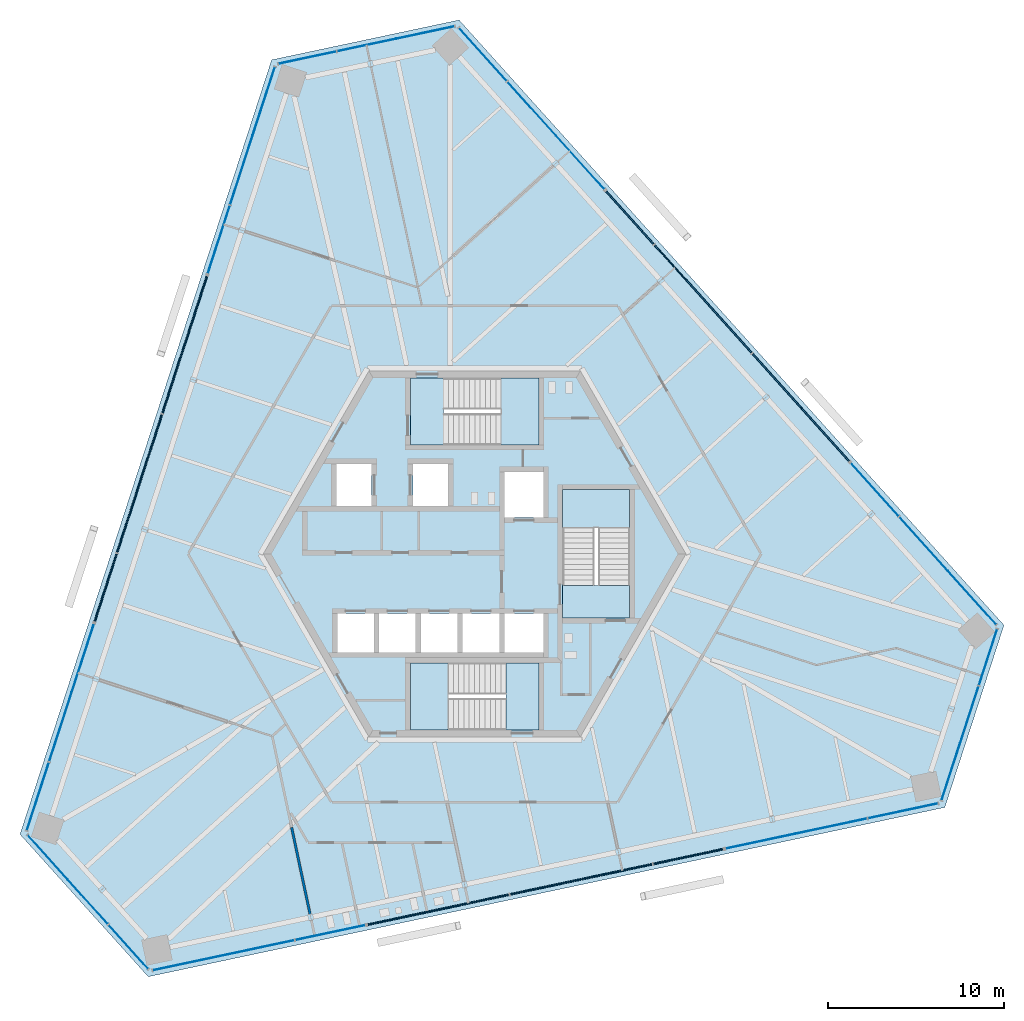
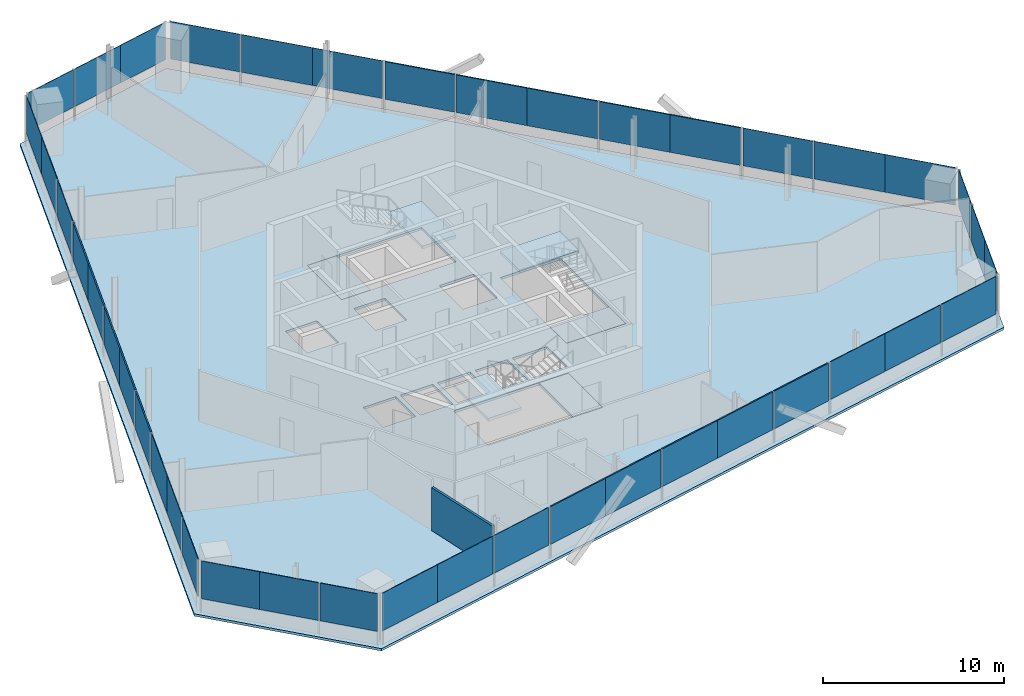
# One storey, part 9 of 15: 42 plates, 7 slabs, 1 wall, 15 elements without a shape of their own.
"""IFC4 building model written with IfcOpenShell, lengths in metres."""

import ifcopenshell
import ifcopenshell.guid

model = None  # the IFC model being written
_history = None  # IfcOwnerHistory: only IFC2X3 demands one
_inside = {}  # id of a spatial element -> (the spatial element, [elements in it])
_under = {}  # id of a project, library or spatial element -> (it, [spatial elements below it])
_declared = {}  # id of a project -> (the project, [libraries it declares])
_typed = {}  # id of a type object -> (the type object, [elements of that type])
_made_of = {}  # id of a material, layer set ... -> (it, [elements and type objects made of it])


def new_model(schema):
    """Start an empty IFC model of exactly this schema.

    Asked for "IFC4X3", IfcOpenShell would pick the latest addendum, in which some entities
    have other attributes; the version numbers below select the first issue.
    IFC2X3 requires an IfcOwnerHistory on every rooted entity: one is made here for all.
    """
    global model, _history
    if schema == "IFC4X3":
        model = ifcopenshell.file(schema_version=(4, 3, 0, 0))
    else:
        model = ifcopenshell.file(schema=schema)
    _inside.clear()
    _under.clear()
    _declared.clear()
    _typed.clear()
    _made_of.clear()
    _history = None
    if model.schema == "IFC2X3":
        org = make("IfcOrganization", Name="unknown")
        user = make(
            "IfcPersonAndOrganization",
            ThePerson=make("IfcPerson", FamilyName="unknown"),
            TheOrganization=org,
        )
        app = make(
            "IfcApplication",
            ApplicationDeveloper=org,
            Version="unknown",
            ApplicationFullName="unknown",
            ApplicationIdentifier="unknown",
        )
        _history = make(
            "IfcOwnerHistory",
            OwningUser=user,
            OwningApplication=app,
            ChangeAction="ADDED",
            CreationDate=0,
        )
    return model


def make(cls, **values):
    """One entity of the class cls with the attributes given. An attribute that is None is left unset."""
    return model.create_entity(
        cls, **{name: value for name, value in values.items() if value is not None}
    )


def rooted(cls, **values):
    """An entity with a GlobalId (a new one), such as an element, a storey or a relation."""
    return make(cls, GlobalId=ifcopenshell.guid.new(), OwnerHistory=_history, **values)


def si_unit(unit_type, name, prefix=None):
    """IfcSIUnit, for example si_unit("LENGTHUNIT", "METRE", prefix="MILLI")."""
    return make("IfcSIUnit", UnitType=unit_type, Prefix=prefix, Name=name)


def assignment(units):
    """IfcUnitAssignment: the units of a project."""
    return None if units is None else make("IfcUnitAssignment", Units=units)


def point(xyz):
    """IfcCartesianPoint."""
    return None if xyz is None else make("IfcCartesianPoint", Coordinates=xyz)


def direction(xyz):
    """IfcDirection."""
    return None if xyz is None else make("IfcDirection", DirectionRatios=xyz)


def frame(location, z_axis=None, x_axis=None):
    """IfcAxis2Placement3D, a coordinate frame: its origin and axes. An axis left out is left unset."""
    return make(
        "IfcAxis2Placement3D",
        Location=point(location),
        Axis=direction(z_axis),
        RefDirection=direction(x_axis),
    )


def frame_2d(location, x_axis=None):
    """IfcAxis2Placement2D, a coordinate frame in the plane: its origin and x axis."""
    return make(
        "IfcAxis2Placement2D", Location=point(location), RefDirection=direction(x_axis)
    )


def origin():
    """The frame at (0, 0, 0) with its axes left unset."""
    return frame((0.0, 0.0, 0.0))


def origin_2d():
    """The frame at (0, 0) in the plane with its x axis left unset."""
    return frame_2d((0.0, 0.0))


def place(relative_to, where):
    """IfcLocalPlacement: puts the frame where relative to a parent placement (None: the world)."""
    return make(
        "IfcLocalPlacement", PlacementRelTo=relative_to, RelativePlacement=where
    )


def context(
    kind, dimensions, precision=None, world=None, true_north=None, identifier=None
):
    """IfcGeometricRepresentationContext, for example the 3D "Model" context."""
    return make(
        "IfcGeometricRepresentationContext",
        ContextIdentifier=identifier,
        ContextType=kind,
        CoordinateSpaceDimension=dimensions,
        Precision=precision,
        WorldCoordinateSystem=world,
        TrueNorth=true_north,
    )


def subcontext(parent, identifier, kind, view, scale=None):
    """IfcGeometricRepresentationSubContext, for example "Body" below "Model"."""
    return make(
        "IfcGeometricRepresentationSubContext",
        ContextIdentifier=identifier,
        ContextType=kind,
        ParentContext=parent,
        TargetScale=scale,
        TargetView=view,
    )


def project(units=None, contexts=None):
    """IfcProject with its units and contexts."""
    return rooted(
        "IfcProject",
        Name="project",
        RepresentationContexts=contexts,
        UnitsInContext=assignment(units),
    )


def spatial(cls, under=None, at=None, **own):
    """A site, building, storey or space (cls), placed at a placement, below another one or the project."""
    s = rooted(cls, ObjectPlacement=at, **own)
    if under is not None:
        _under.setdefault(under.id(), (under, []))[1].append(s)
    return s


def polyline(points):
    """IfcPolyline through the points."""
    return make("IfcPolyline", Points=[point(p) for p in points])


def profile(cls, at=None, kind="AREA", **sizes):
    """A parametric profile (cls). Its sizes go by their IFC names, for example OverallWidth=200.0."""
    return make(cls, ProfileType=kind, Position=at, **sizes)


def rectangle(**sizes):
    """IfcRectangleProfileDef."""
    return profile("IfcRectangleProfileDef", **sizes)


def outline(outer, holes=None, kind="AREA"):
    """IfcArbitraryClosedProfileDef: a profile drawn as a closed curve; with holes, ...WithVoids."""
    if holes is None:
        return make("IfcArbitraryClosedProfileDef", ProfileType=kind, OuterCurve=outer)
    return make(
        "IfcArbitraryProfileDefWithVoids",
        ProfileType=kind,
        OuterCurve=outer,
        InnerCurves=holes,
    )


def extrude(swept, where, along, depth):
    """IfcExtrudedAreaSolid: the profile swept, set in the frame where, extruded along a direction by depth."""
    return make(
        "IfcExtrudedAreaSolid",
        SweptArea=swept,
        Position=where,
        ExtrudedDirection=direction(along),
        Depth=depth,
    )


def shape(context_of_items, identifier, shape_type, items):
    """IfcShapeRepresentation: the items that make up one representation, for example the "Body"."""
    return make(
        "IfcShapeRepresentation",
        ContextOfItems=context_of_items,
        RepresentationIdentifier=identifier,
        RepresentationType=shape_type,
        Items=items,
    )


def source(mapping_origin, context_of_items, identifier, shape_type, items):
    """IfcRepresentationMap: a shape defined once, which mapped items show again and again."""
    return make(
        "IfcRepresentationMap",
        MappingOrigin=mapping_origin,
        MappedRepresentation=shape(context_of_items, identifier, shape_type, items),
    )


def transform(
    local_origin,
    x_axis=None,
    y_axis=None,
    z_axis=None,
    scale=None,
    scale2=None,
    scale3=None,
    uniform=True,
):
    """IfcCartesianTransformationOperator3D, or its non-uniform kind. x_axis, y_axis, z_axis: its Axis1, 2, 3."""
    if uniform:
        return make(
            "IfcCartesianTransformationOperator3D",
            Axis1=direction(x_axis),
            Axis2=direction(y_axis),
            LocalOrigin=point(local_origin),
            Scale=scale,
            Axis3=direction(z_axis),
        )
    return make(
        "IfcCartesianTransformationOperator3DnonUniform",
        Axis1=direction(x_axis),
        Axis2=direction(y_axis),
        LocalOrigin=point(local_origin),
        Scale=scale,
        Axis3=direction(z_axis),
        Scale2=scale2,
        Scale3=scale3,
    )


def mapped(mapping_source, mapping_target):
    """IfcMappedItem: shows the shape of a source again, moved by a transform."""
    return make(
        "IfcMappedItem", MappingSource=mapping_source, MappingTarget=mapping_target
    )


def material(Name=None, Category=None):
    """IfcMaterial."""
    return make("IfcMaterial", Name=Name, Category=Category)


def layer(
    of_material, thickness, ventilated=None, Name=None, Category=None, Priority=None
):
    """IfcMaterialLayer: one layer of a wall or slab, of a material (None: an air gap)."""
    return make(
        "IfcMaterialLayer",
        Material=of_material,
        LayerThickness=thickness,
        IsVentilated=ventilated,
        Name=Name,
        Category=Category,
        Priority=Priority,
    )


def layer_set(layers, Name=None):
    """IfcMaterialLayerSet."""
    return make("IfcMaterialLayerSet", MaterialLayers=layers, LayerSetName=Name)


def made_of(thing, what):
    """Note that an element or type object is made of a material, layer set ...; save() writes the relation."""
    if what is not None:
        _made_of.setdefault(what.id(), (what, []))[1].append(thing)
    return thing


def type_object(cls, material=None, **own):
    """A type object (cls), such as IfcWallType, which elements share."""
    return made_of(rooted(cls, **own), material)


def element(
    cls,
    number,
    at=None,
    inside=None,
    cuts=None,
    type_object=None,
    material=None,
    context=None,
    identifier="Body",
    shape_type=None,
    held_by="IfcProductDefinitionShape",
    body=None,
    shapes=None,
    **own,
):
    """One element of the class cls, such as IfcWall. Its Tag is "e" and its number.

    at: its placement. inside: the storey or other place that contains it. cuts: it is an
    opening in that element (IfcRelVoidsElement). A single representation is given by context,
    identifier, shape_type and body (its items); several are given by shapes. held_by: the class
    of the entity that holds the representations. save() writes the other relations.
    """
    e = rooted(cls, Tag="e%d" % number, ObjectPlacement=at, **own)
    if body is not None:
        shapes = [shape(context, identifier, shape_type, body)]
    if shapes is not None:
        e.Representation = make(held_by, Representations=shapes)
    if inside is not None:
        _inside.setdefault(inside.id(), (inside, []))[1].append(e)
    if cuts is not None:
        rooted(
            "IfcRelVoidsElement", RelatingBuildingElement=cuts, RelatedOpeningElement=e
        )
    if type_object is not None:
        _typed.setdefault(type_object.id(), (type_object, []))[1].append(e)
    return made_of(e, material)


def aggregate(whole, parts):
    """IfcRelAggregates: a whole, such as a stair, and the parts it consists of."""
    return rooted("IfcRelAggregates", RelatingObject=whole, RelatedObjects=parts)


def save(model, path):
    """Write the relations noted so far, then the file.

    IfcRelAggregates (storeys below a building ...), IfcRelContainedInSpatialStructure (elements
    in a storey), IfcRelDefinesByType, IfcRelAssociatesMaterial and IfcRelDeclares: one each for
    every whole, place, type object, material and project.
    """
    for whole, parts in _under.values():
        aggregate(whole, parts)
    for where, things in _inside.values():
        rooted(
            "IfcRelContainedInSpatialStructure",
            RelatedElements=things,
            RelatingStructure=where,
        )
    for kind, things in _typed.values():
        rooted("IfcRelDefinesByType", RelatedObjects=things, RelatingType=kind)
    for what, things in _made_of.values():
        rooted("IfcRelAssociatesMaterial", RelatedObjects=things, RelatingMaterial=what)
    for by, libraries in _declared.values():
        rooted("IfcRelDeclares", RelatingContext=by, RelatedDefinitions=libraries)
    model.write(path)


model = new_model("IFC4")

# Units and contexts
model_context = context("Model", 3, precision=1e-05, world=origin(), true_north=direction((0.0, 1.0)))
body_context = subcontext(model_context, "Body", "Model", "MODEL_VIEW")
ifc_project = project(units=[si_unit("LENGTHUNIT", "METRE"), si_unit("AREAUNIT", "SQUARE_METRE"), si_unit("VOLUMEUNIT", "CUBIC_METRE"), si_unit("PLANEANGLEUNIT", "RADIAN"), si_unit("MASSUNIT", "GRAM", prefix="KILO")], contexts=[model_context])

# Site, building, storey
site_placement = place(None, origin())
site = spatial("IfcSite", under=ifc_project, at=site_placement, CompositionType="ELEMENT")
building_placement = place(site_placement, origin())
building = spatial("IfcBuilding", under=site, at=building_placement, Name="Triune Harvest Tower", CompositionType="ELEMENT")
storey_placement = place(building_placement, frame((0.0, 0.0, 270.300048828125)))
storey = spatial("IfcBuildingStorey", under=building, at=storey_placement, Name="L71", CompositionType="ELEMENT", Elevation=270.300048828125)

# Slab
ifc_material_1 = material(Name="Concrete 40 MPa", Category="concrete")
ifc_layer_1 = layer(ifc_material_1, 0.159912109375)
ifc_layer_set_1 = layer_set([ifc_layer_1], Name="Concrete 40 MPa")
slab_type_1 = type_object("IfcSlabType", Name="SL-1 Composite floor slab 160", PredefinedType="FLOOR", material=ifc_layer_set_1)
shared_shape_1 = source(origin(), body_context, "Body", "SweptSolid", [
    extrude(outline(polyline([(30.05810546875, -4.04638671875), (-0.88232421875, 30.31640625), (-11.524658203125, 28.054443359375), (-25.813720703125, -15.922607421875), (-18.533447265625, -24.0078125), (26.696044921875, -14.39404296875), (30.05810546875, -4.04638671875)]), holes=[polyline([(-5.72509765625, -5.590087890625), (-5.72509765625, -3.389892578125), (-7.800048828125, -3.389892578125), (-7.800048828125, -5.590087890625), (-5.72509765625, -5.590087890625)]), polyline([(-3.35009765625, -5.590087890625), (-3.35009765625, -3.389892578125), (-5.425048828125, -3.389892578125), (-5.425048828125, -5.590087890625), (-3.35009765625, -5.590087890625)]), polyline([(-0.97509765625, -5.590087890625), (-0.97509765625, -3.389892578125), (-3.050048828125, -3.389892578125), (-3.050048828125, -5.590087890625), (-0.97509765625, -5.590087890625)]), polyline([(1.39990234375, -5.590087890625), (1.39990234375, -3.389892578125), (-0.675048828125, -3.389892578125), (-0.675048828125, -5.590087890625), (1.39990234375, -5.590087890625)]), polyline([(3.89990234375, 2.06005859375), (3.89990234375, 4.659912109375), (1.699951171875, 4.659912109375), (1.699951171875, 2.06005859375), (3.89990234375, 2.06005859375)]), polyline([(3.89990234375, -5.590087890625), (3.89990234375, -3.389892578125), (1.699951171875, -3.389892578125), (1.699951171875, -5.590087890625), (3.89990234375, -5.590087890625)]), polyline([(-5.85009765625, 2.7099609375), (-5.85009765625, 5.110107421875), (-7.85009765625, 5.110107421875), (-7.85009765625, 2.7099609375), (-5.85009765625, 2.7099609375)]), polyline([(-1.5, 2.7099609375), (-1.5, 5.110107421875), (-3.5, 5.110107421875), (-3.5, 2.7099609375), (-1.5, 2.7099609375)]), polyline([(3.64990234375, 6.18994140625), (3.64990234375, 9.989990234375), (-3.64990234375, 9.989990234375), (-3.64990234375, 6.18994140625), (3.64990234375, 6.18994140625)]), polyline([(3.64990234375, -9.989990234375), (3.64990234375, -6.18994140625), (-3.64990234375, -6.18994140625), (-3.64990234375, -9.989990234375), (3.64990234375, -9.989990234375)]), polyline([(8.800048828125, -3.64990234375), (8.800048828125, 3.64990234375), (5.0, 3.64990234375), (5.0, -3.64990234375), (8.800048828125, -3.64990234375)])]), origin(), (0.0, 0.0, 1.0), 0.16015625),
])
slab_1_placement = place(storey_placement, frame((0.0, 0.0, -0.16015625)))
element("IfcSlab", 1, at=slab_1_placement, inside=storey, type_object=slab_type_1, Name="slab/L71/1", PredefinedType="FLOOR", context=body_context, shape_type="MappedRepresentation", body=[
    mapped(shared_shape_1, transform((0.0, 0.0, 0.0), scale=1.0)),
])

# Stair, slabs
ifc_material_2 = material(Name="Concrete 40 MPa", Category="concrete")
stair_type = type_object("IfcStairType", Name="Exit stair 1800 half turn", PredefinedType="HALF_TURN_STAIR", material=ifc_material_2)
stair_1_placement = place(storey_placement, origin())
stair_1 = element("IfcStair", 2, at=stair_1_placement, inside=storey, type_object=stair_type, Name="Exit stair north", PredefinedType="HALF_TURN_STAIR")
ifc_material_3 = material(Name="Concrete 40 MPa", Category="concrete")
ifc_layer_2 = layer(ifc_material_3, 0.199951171875)
ifc_layer_set_2 = layer_set([ifc_layer_2], Name="Concrete 40 MPa")
slab_type_2 = type_object("IfcSlabType", Name="Stair landing 200", PredefinedType="LANDING", material=ifc_layer_set_2)
shared_shape_2 = source(origin(), body_context, "Body", "SweptSolid", [
    extrude(outline(polyline([(-3.64990234375, 6.18994140625), (-1.780029296875, 6.18994140625), (-1.780029296875, 9.989990234375), (-3.64990234375, 9.989990234375), (-3.64990234375, 6.18994140625)])), origin(), (0.0, 0.0, 1.0), 0.199951171875),
])
slab_2_placement = place(storey_placement, frame((0.0, 0.0, -0.199951171875)))
slab_2 = element("IfcSlab", 3, at=slab_2_placement, type_object=slab_type_2, Name="ST-1 landing 1", PredefinedType="LANDING", context=body_context, shape_type="MappedRepresentation", body=[
    mapped(shared_shape_2, transform((0.0, 0.0, 0.0), scale=1.0)),
])
shared_shape_3 = source(origin(), body_context, "Body", "SweptSolid", [
    extrude(outline(polyline([(1.510009765625, 6.18994140625), (3.64990234375, 6.18994140625), (3.64990234375, 9.989990234375), (1.510009765625, 9.989990234375), (1.510009765625, 6.18994140625)])), origin(), (0.0, 0.0, 1.0), 0.2001953125),
])
slab_3_placement = place(storey_placement, frame((0.0, 0.0, 1.599853515625)))
slab_3 = element("IfcSlab", 4, at=slab_3_placement, type_object=slab_type_2, Name="ST-1 landing 2", PredefinedType="LANDING", context=body_context, shape_type="MappedRepresentation", body=[
    mapped(shared_shape_3, transform((0.0, 0.0, 0.0), scale=1.0)),
])
aggregate(stair_1, [slab_2, slab_3])

stair_2_placement = place(storey_placement, origin())
stair_2 = element("IfcStair", 5, at=stair_2_placement, inside=storey, type_object=stair_type, Name="Exit stair south", PredefinedType="HALF_TURN_STAIR")
shared_shape_4 = source(origin(), body_context, "Body", "SweptSolid", [
    extrude(outline(polyline([(3.64990234375, -6.18994140625), (1.780029296875, -6.18994140625), (1.780029296875, -9.989990234375), (3.64990234375, -9.989990234375), (3.64990234375, -6.18994140625)])), origin(), (0.0, 0.0, 1.0), 0.199951171875),
])
slab_4_placement = place(storey_placement, frame((0.0, 0.0, -0.199951171875)))
slab_4 = element("IfcSlab", 6, at=slab_4_placement, type_object=slab_type_2, Name="ST-2 landing 1", PredefinedType="LANDING", context=body_context, shape_type="MappedRepresentation", body=[
    mapped(shared_shape_4, transform((0.0, 0.0, 0.0), scale=1.0)),
])
shared_shape_5 = source(origin(), body_context, "Body", "SweptSolid", [
    extrude(outline(polyline([(-1.510009765625, -6.18994140625), (-3.64990234375, -6.18994140625), (-3.64990234375, -9.989990234375), (-1.510009765625, -9.989990234375), (-1.510009765625, -6.18994140625)])), origin(), (0.0, 0.0, 1.0), 0.2001953125),
])
slab_5_placement = place(storey_placement, frame((0.0, 0.0, 1.599853515625)))
slab_5 = element("IfcSlab", 7, at=slab_5_placement, type_object=slab_type_2, Name="ST-2 landing 2", PredefinedType="LANDING", context=body_context, shape_type="MappedRepresentation", body=[
    mapped(shared_shape_5, transform((0.0, 0.0, 0.0), scale=1.0)),
])
aggregate(stair_2, [slab_4, slab_5])

stair_3_placement = place(storey_placement, origin())
stair_3 = element("IfcStair", 8, at=stair_3_placement, inside=storey, type_object=stair_type, Name="Exit stair east", PredefinedType="HALF_TURN_STAIR")
shared_shape_6 = source(origin(), body_context, "Body", "SweptSolid", [
    extrude(outline(polyline([(8.800048828125, -3.64990234375), (8.800048828125, -1.780029296875), (5.0, -1.780029296875), (5.0, -3.64990234375), (8.800048828125, -3.64990234375)])), origin(), (0.0, 0.0, 1.0), 0.199951171875),
])
slab_6_placement = place(storey_placement, frame((0.0, 0.0, -0.199951171875)))
slab_6 = element("IfcSlab", 9, at=slab_6_placement, type_object=slab_type_2, Name="ST-3 landing 1", PredefinedType="LANDING", context=body_context, shape_type="MappedRepresentation", body=[
    mapped(shared_shape_6, transform((0.0, 0.0, 0.0), scale=1.0)),
])
shared_shape_7 = source(origin(), body_context, "Body", "SweptSolid", [
    extrude(outline(polyline([(8.800048828125, 1.510009765625), (8.800048828125, 3.64990234375), (5.0, 3.64990234375), (5.0, 1.510009765625), (8.800048828125, 1.510009765625)])), origin(), (0.0, 0.0, 1.0), 0.2001953125),
])
slab_7_placement = place(storey_placement, frame((0.0, 0.0, 1.599853515625)))
slab_7 = element("IfcSlab", 10, at=slab_7_placement, type_object=slab_type_2, Name="ST-3 landing 2", PredefinedType="LANDING", context=body_context, shape_type="MappedRepresentation", body=[
    mapped(shared_shape_7, transform((0.0, 0.0, 0.0), scale=1.0)),
])
aggregate(stair_3, [slab_6, slab_7])

# Curtain wall, plate
ifc_material_4 = material(Name="Aluminium bronze anodised", Category="aluminium")
curtain_wall_type_1 = type_object("IfcCurtainWallType", Name="CW-1 Tower stick curtain wall", PredefinedType="NOTDEFINED", material=ifc_material_4)
curtain_wall_1_placement = place(storey_placement, origin())
curtain_wall_1 = element("IfcCurtainWall", 11, at=curtain_wall_1_placement, inside=storey, type_object=curtain_wall_type_1, Name="CW-1 B7-F2 L71 run 1")
ifc_material_5 = material(Name="Glass", Category="glass")
ifc_layer_3 = layer(ifc_material_5, 0.031982421875)
ifc_layer_set_3 = layer_set([ifc_layer_3], Name="Glass")
plate_type_1 = type_object("IfcPlateType", Name="GL-1 panel 32", PredefinedType="CURTAIN_PANEL", material=ifc_layer_set_3)
shared_shape_8 = source(origin(), body_context, "Body", "SweptSolid", [
    extrude(rectangle(XDim=3.376220703125, YDim=0.031982421875, at=origin_2d()), origin(), (0.0, 0.0, 1.0), 2.5400390625),
])
plate_1_placement = place(storey_placement, frame((-2.802001953125, 29.601806640625, 0.89990234375), z_axis=(0.0, 0.0, 1.0), x_axis=(-0.978149078297, -0.207904739307, 0.0)))
plate_1 = element("IfcPlate", 12, at=plate_1_placement, type_object=plate_type_1, Name="CW-1 panel B7-F2 1.1", PredefinedType="CURTAIN_PANEL", context=body_context, shape_type="MappedRepresentation", body=[
    mapped(shared_shape_8, transform((0.0, 0.0, 0.0), scale=1.0)),
])

curtain_wall_2_placement = place(storey_placement, origin())
curtain_wall_2 = element("IfcCurtainWall", 13, at=curtain_wall_2_placement, inside=storey, type_object=curtain_wall_type_1, Name="CW-1 B7-F4 L71 run 1")
plate_2_placement = place(storey_placement, frame((-24.23486328125, -17.2275390625, 0.89990234375), z_axis=(0.0, 0.0, 1.0), x_axis=(0.669132031472, -0.743143542297, 0.0)))
plate_2 = element("IfcPlate", 14, at=plate_2_placement, type_object=plate_type_1, Name="CW-1 panel B7-F4 1.1", PredefinedType="CURTAIN_PANEL", context=body_context, shape_type="MappedRepresentation", body=[
    mapped(shared_shape_8, transform((0.0, 0.0, 0.0), scale=1.0)),
])

curtain_wall_3_placement = place(storey_placement, origin())
curtain_wall_3 = element("IfcCurtainWall", 15, at=curtain_wall_3_placement, inside=storey, type_object=curtain_wall_type_1, Name="CW-1 B7-F6 L71 run 1")
plate_3_placement = place(storey_placement, frame((27.036865234375, -12.374267578125, 0.89990234375), z_axis=(0.0, 0.0, 1.0), x_axis=(0.309018882717, 0.951055902733, 0.0)))
plate_3 = element("IfcPlate", 16, at=plate_3_placement, type_object=plate_type_1, Name="CW-1 panel B7-F6 1.1", PredefinedType="CURTAIN_PANEL", context=body_context, shape_type="MappedRepresentation", body=[
    mapped(shared_shape_8, transform((0.0, 0.0, 0.0), scale=1.0)),
])

# Plate
shared_shape_9 = source(origin(), body_context, "Body", "SweptSolid", [
    extrude(rectangle(XDim=3.413818359375, YDim=0.031982421875, at=origin_2d()), origin(), (0.0, 0.0, 1.0), 2.5400390625),
])
plate_4_placement = place(storey_placement, frame((-6.122802734375, 28.89599609375, 0.89990234375), z_axis=(0.0, 0.0, 1.0), x_axis=(-0.978149078297, -0.207904739307, 0.0)))
plate_4 = element("IfcPlate", 17, at=plate_4_placement, type_object=plate_type_1, Name="CW-1 panel B7-F2 1.2", PredefinedType="CURTAIN_PANEL", context=body_context, shape_type="MappedRepresentation", body=[
    mapped(shared_shape_9, transform((0.0, 0.0, 0.0), scale=1.0)),
])

plate_5_placement = place(storey_placement, frame((28.0859375, -9.145263671875, 0.89990234375), z_axis=(0.0, 0.0, 1.0), x_axis=(0.309018882717, 0.951055902733, 0.0)))
plate_5 = element("IfcPlate", 18, at=plate_5_placement, type_object=plate_type_1, Name="CW-1 panel B7-F6 1.2", PredefinedType="CURTAIN_PANEL", context=body_context, shape_type="MappedRepresentation", body=[
    mapped(shared_shape_9, transform((0.0, 0.0, 0.0), scale=1.0)),
])

shared_shape_10 = source(origin(), body_context, "Body", "SweptSolid", [
    extrude(rectangle(XDim=3.338623046875, YDim=0.031982421875, at=origin_2d()), origin(), (0.0, 0.0, 1.0), 2.5400390625),
])
plate_6_placement = place(storey_placement, frame((-9.49853515625, 28.178466796875, 0.89990234375), z_axis=(0.0, 0.0, 1.0), x_axis=(-0.978149078297, -0.207904739307, 0.0)))
plate_6 = element("IfcPlate", 19, at=plate_6_placement, type_object=plate_type_1, Name="CW-1 panel B7-F2 1.3", PredefinedType="CURTAIN_PANEL", context=body_context, shape_type="MappedRepresentation", body=[
    mapped(shared_shape_10, transform((0.0, 0.0, 0.0), scale=1.0)),
])

aggregate(curtain_wall_1, [plate_1, plate_4, plate_6])

plate_7_placement = place(storey_placement, frame((-19.65380859375, -22.315185546875, 0.89990234375), z_axis=(0.0, 0.0, 1.0), x_axis=(0.669132031472, -0.743143542297, 0.0)))
plate_7 = element("IfcPlate", 20, at=plate_7_placement, type_object=plate_type_1, Name="CW-1 panel B7-F4 1.3", PredefinedType="CURTAIN_PANEL", context=body_context, shape_type="MappedRepresentation", body=[
    mapped(shared_shape_10, transform((0.0, 0.0, 0.0), scale=1.0)),
])

plate_8_placement = place(storey_placement, frame((29.152587890625, -5.863037109375, 0.89990234375), z_axis=(0.0, 0.0, 1.0), x_axis=(0.309018882717, 0.951055902733, 0.0)))
plate_8 = element("IfcPlate", 21, at=plate_8_placement, type_object=plate_type_1, Name="CW-1 panel B7-F6 1.3", PredefinedType="CURTAIN_PANEL", context=body_context, shape_type="MappedRepresentation", body=[
    mapped(shared_shape_10, transform((0.0, 0.0, 0.0), scale=1.0)),
])

aggregate(curtain_wall_3, [plate_3, plate_5, plate_8])

shared_shape_11 = source(origin(), body_context, "Body", "SweptSolid", [
    extrude(rectangle(XDim=3.41357421875, YDim=0.031982421875, at=origin_2d()), origin(), (0.0, 0.0, 1.0), 2.5400390625),
])
plate_9_placement = place(storey_placement, frame((-21.963134765625, -19.75048828125, 0.89990234375), z_axis=(0.0, 0.0, 1.0), x_axis=(0.669132031472, -0.743143542297, 0.0)))
plate_9 = element("IfcPlate", 22, at=plate_9_placement, type_object=plate_type_1, Name="CW-1 panel B7-F4 1.2", PredefinedType="CURTAIN_PANEL", context=body_context, shape_type="MappedRepresentation", body=[
    mapped(shared_shape_11, transform((0.0, 0.0, 0.0), scale=1.0)),
])

aggregate(curtain_wall_2, [plate_2, plate_9, plate_7])

# Curtain wall, plate
ifc_material_6 = material(Name="Aluminium bronze anodised", Category="aluminium")
curtain_wall_type_2 = type_object("IfcCurtainWallType", Name="CW-7 Tower stick curtain wall with insulated spandrel infill", PredefinedType="NOTDEFINED", material=ifc_material_6)
curtain_wall_4_placement = place(storey_placement, origin())
curtain_wall_4 = element("IfcCurtainWall", 23, at=curtain_wall_4_placement, inside=storey, type_object=curtain_wall_type_2, Name="CW-7 B7-F1 L71 run 1001")
ifc_material_7 = material(Name="Insulated spandrel panel, bronze aluminium pan", Category="aluminium")
ifc_layer_4 = layer(ifc_material_7, 0.080078125)
ifc_layer_set_4 = layer_set([ifc_layer_4], Name="Insulated spandrel panel, bronze aluminium pan")
plate_type_2 = type_object("IfcPlateType", Name="SP-1 insulated spandrel panel 80", PredefinedType="CURTAIN_PANEL", material=ifc_layer_set_4)
shared_shape_12 = source(origin(), body_context, "Body", "SweptSolid", [
    extrude(rectangle(XDim=4.080810546875, YDim=0.080078125, at=origin_2d()), origin(), (0.0, 0.0, 1.0), 2.5400390625),
])
plate_10_placement = place(storey_placement, frame((19.9013671875, 6.785400390625, 0.89990234375), z_axis=(0.0, 0.0, 1.0), x_axis=(-0.669131426809, 0.74314408674, 0.0)))
plate_10 = element("IfcPlate", 24, at=plate_10_placement, type_object=plate_type_2, Name="CW-7 panel B7-F1 1001.1", PredefinedType="CURTAIN_PANEL", context=body_context, shape_type="MappedRepresentation", body=[
    mapped(shared_shape_12, transform((0.0, 0.0, 0.0), scale=1.0)),
])

curtain_wall_5_placement = place(storey_placement, origin())
curtain_wall_5 = element("IfcCurtainWall", 25, at=curtain_wall_5_placement, inside=storey, type_object=curtain_wall_type_2, Name="CW-7 B7-F3 L71 run 1001")
plate_11_placement = place(storey_placement, frame((-15.826904296875, 13.84228515625, 0.89990234375), z_axis=(0.0, 0.0, 1.0), x_axis=(-0.309020017761, -0.951055533932, 0.0)))
plate_11 = element("IfcPlate", 26, at=plate_11_placement, type_object=plate_type_2, Name="CW-7 panel B7-F3 1001.1", PredefinedType="CURTAIN_PANEL", context=body_context, shape_type="MappedRepresentation", body=[
    mapped(shared_shape_12, transform((0.0, 0.0, 0.0), scale=1.0)),
])

curtain_wall_6_placement = place(storey_placement, origin())
curtain_wall_6 = element("IfcCurtainWall", 27, at=curtain_wall_6_placement, inside=storey, type_object=curtain_wall_type_2, Name="CW-7 B7-F5 L71 run 1001")
plate_12_placement = place(storey_placement, frame((-4.07421875, -20.627685546875, 0.89990234375), z_axis=(0.0, 0.0, 1.0), x_axis=(0.978147303245, 0.207913090389, 0.0)))
plate_12 = element("IfcPlate", 28, at=plate_12_placement, type_object=plate_type_2, Name="CW-7 panel B7-F5 1001.1", PredefinedType="CURTAIN_PANEL", context=body_context, shape_type="MappedRepresentation", body=[
    mapped(shared_shape_12, transform((0.0, 0.0, 0.0), scale=1.0)),
])

# Plate
shared_shape_13 = source(origin(), body_context, "Body", "SweptSolid", [
    extrude(rectangle(XDim=4.1181640625, YDim=0.080078125, at=origin_2d()), origin(), (0.0, 0.0, 1.0), 2.5400390625),
])
plate_13_placement = place(storey_placement, frame((17.158203125, 9.83203125, 0.89990234375), z_axis=(0.0, 0.0, 1.0), x_axis=(-0.669131426809, 0.74314408674, 0.0)))
plate_13 = element("IfcPlate", 29, at=plate_13_placement, type_object=plate_type_2, Name="CW-7 panel B7-F1 1001.2", PredefinedType="CURTAIN_PANEL", context=body_context, shape_type="MappedRepresentation", body=[
    mapped(shared_shape_13, transform((0.0, 0.0, 0.0), scale=1.0)),
])

plate_14_placement = place(storey_placement, frame((14.3525390625, 12.9482421875, 0.89990234375), z_axis=(0.0, 0.0, 1.0), x_axis=(-0.669131426809, 0.74314408674, 0.0)))
plate_14 = element("IfcPlate", 30, at=plate_14_placement, type_object=plate_type_2, Name="CW-7 panel B7-F1 1001.3", PredefinedType="CURTAIN_PANEL", context=body_context, shape_type="MappedRepresentation", body=[
    mapped(shared_shape_13, transform((0.0, 0.0, 0.0), scale=1.0)),
])

plate_15_placement = place(storey_placement, frame((11.5966796875, 16.008544921875, 0.89990234375), z_axis=(0.0, 0.0, 1.0), x_axis=(-0.669131426809, 0.74314408674, 0.0)))
plate_15 = element("IfcPlate", 31, at=plate_15_placement, type_object=plate_type_2, Name="CW-7 panel B7-F1 1001.4", PredefinedType="CURTAIN_PANEL", context=body_context, shape_type="MappedRepresentation", body=[
    mapped(shared_shape_13, transform((0.0, 0.0, 0.0), scale=1.0)),
])

plate_16_placement = place(storey_placement, frame((-17.09375, 9.943359375, 0.89990234375), z_axis=(0.0, 0.0, 1.0), x_axis=(-0.309020017761, -0.951055533932, 0.0)))
plate_16 = element("IfcPlate", 32, at=plate_16_placement, type_object=plate_type_2, Name="CW-7 panel B7-F3 1001.2", PredefinedType="CURTAIN_PANEL", context=body_context, shape_type="MappedRepresentation", body=[
    mapped(shared_shape_13, transform((0.0, 0.0, 0.0), scale=1.0)),
])

plate_17_placement = place(storey_placement, frame((-18.3896484375, 5.955322265625, 0.89990234375), z_axis=(0.0, 0.0, 1.0), x_axis=(-0.309020017761, -0.951055533932, 0.0)))
plate_17 = element("IfcPlate", 33, at=plate_17_placement, type_object=plate_type_2, Name="CW-7 panel B7-F3 1001.3", PredefinedType="CURTAIN_PANEL", context=body_context, shape_type="MappedRepresentation", body=[
    mapped(shared_shape_13, transform((0.0, 0.0, 0.0), scale=1.0)),
])

plate_18_placement = place(storey_placement, frame((-19.662353515625, 2.038818359375, 0.89990234375), z_axis=(0.0, 0.0, 1.0), x_axis=(-0.309020017761, -0.951055533932, 0.0)))
plate_18 = element("IfcPlate", 34, at=plate_18_placement, type_object=plate_type_2, Name="CW-7 panel B7-F3 1001.4", PredefinedType="CURTAIN_PANEL", context=body_context, shape_type="MappedRepresentation", body=[
    mapped(shared_shape_13, transform((0.0, 0.0, 0.0), scale=1.0)),
])

plate_19_placement = place(storey_placement, frame((-0.064453125, -19.775390625, 0.89990234375), z_axis=(0.0, 0.0, 1.0), x_axis=(0.978147303245, 0.207913090389, 0.0)))
plate_19 = element("IfcPlate", 35, at=plate_19_placement, type_object=plate_type_2, Name="CW-7 panel B7-F5 1001.2", PredefinedType="CURTAIN_PANEL", context=body_context, shape_type="MappedRepresentation", body=[
    mapped(shared_shape_13, transform((0.0, 0.0, 0.0), scale=1.0)),
])

plate_20_placement = place(storey_placement, frame((4.037353515625, -18.903564453125, 0.89990234375), z_axis=(0.0, 0.0, 1.0), x_axis=(0.978147303245, 0.207913090389, 0.0)))
plate_20 = element("IfcPlate", 36, at=plate_20_placement, type_object=plate_type_2, Name="CW-7 panel B7-F5 1001.3", PredefinedType="CURTAIN_PANEL", context=body_context, shape_type="MappedRepresentation", body=[
    mapped(shared_shape_13, transform((0.0, 0.0, 0.0), scale=1.0)),
])

plate_21_placement = place(storey_placement, frame((8.0654296875, -18.04736328125, 0.89990234375), z_axis=(0.0, 0.0, 1.0), x_axis=(0.978147303245, 0.207913090389, 0.0)))
plate_21 = element("IfcPlate", 37, at=plate_21_placement, type_object=plate_type_2, Name="CW-7 panel B7-F5 1001.4", PredefinedType="CURTAIN_PANEL", context=body_context, shape_type="MappedRepresentation", body=[
    mapped(shared_shape_13, transform((0.0, 0.0, 0.0), scale=1.0)),
])

# Curtain wall, plate
curtain_wall_7_placement = place(storey_placement, origin())
curtain_wall_7 = element("IfcCurtainWall", 38, at=curtain_wall_7_placement, inside=storey, type_object=curtain_wall_type_1, Name="CW-1 B7-F1 L71 run 1")
shared_shape_14 = source(origin(), body_context, "Body", "SweptSolid", [
    extrude(rectangle(XDim=4.080810546875, YDim=0.031982421875, at=origin_2d()), origin(), (0.0, 0.0, 1.0), 2.5400390625),
])
plate_22_placement = place(storey_placement, frame((28.24365234375, -2.4794921875, 0.89990234375), z_axis=(0.0, 0.0, 1.0), x_axis=(-0.669131464034, 0.743144053222, 0.0)))
plate_22 = element("IfcPlate", 39, at=plate_22_placement, type_object=plate_type_1, Name="CW-1 panel B7-F1 1.1", PredefinedType="CURTAIN_PANEL", context=body_context, shape_type="MappedRepresentation", body=[
    mapped(shared_shape_14, transform((0.0, 0.0, 0.0), scale=1.0)),
])

curtain_wall_8_placement = place(storey_placement, origin())
curtain_wall_8 = element("IfcCurtainWall", 40, at=curtain_wall_8_placement, inside=storey, type_object=curtain_wall_type_1, Name="CW-1 B7-F1 L71 run 2001")
plate_23_placement = place(storey_placement, frame((5.99755859375, 22.22705078125, 0.89990234375), z_axis=(0.0, 0.0, 1.0), x_axis=(-0.669131464034, 0.743144053222, 0.0)))
plate_23 = element("IfcPlate", 41, at=plate_23_placement, type_object=plate_type_1, Name="CW-1 panel B7-F1 2001.1", PredefinedType="CURTAIN_PANEL", context=body_context, shape_type="MappedRepresentation", body=[
    mapped(shared_shape_14, transform((0.0, 0.0, 0.0), scale=1.0)),
])

curtain_wall_9_placement = place(storey_placement, origin())
curtain_wall_9 = element("IfcCurtainWall", 42, at=curtain_wall_9_placement, inside=storey, type_object=curtain_wall_type_1, Name="CW-1 B7-F3 L71 run 1")
plate_24_placement = place(storey_placement, frame((-11.974365234375, 25.699462890625, 0.89990234375), z_axis=(0.0, 0.0, 1.0), x_axis=(-0.309013302707, -0.951057715783, 0.0)))
plate_24 = element("IfcPlate", 43, at=plate_24_placement, type_object=plate_type_1, Name="CW-1 panel B7-F3 1.1", PredefinedType="CURTAIN_PANEL", context=body_context, shape_type="MappedRepresentation", body=[
    mapped(shared_shape_14, transform((0.0, 0.0, 0.0), scale=1.0)),
])

curtain_wall_10_placement = place(storey_placement, origin())
curtain_wall_10 = element("IfcCurtainWall", 44, at=curtain_wall_10_placement, inside=storey, type_object=curtain_wall_type_1, Name="CW-1 B7-F3 L71 run 2001")
plate_25_placement = place(storey_placement, frame((-22.248046875, -5.919677734375, 0.89990234375), z_axis=(0.0, 0.0, 1.0), x_axis=(-0.309013302707, -0.951057715783, 0.0)))
plate_25 = element("IfcPlate", 45, at=plate_25_placement, type_object=plate_type_1, Name="CW-1 panel B7-F3 2001.1", PredefinedType="CURTAIN_PANEL", context=body_context, shape_type="MappedRepresentation", body=[
    mapped(shared_shape_14, transform((0.0, 0.0, 0.0), scale=1.0)),
])

curtain_wall_11_placement = place(storey_placement, origin())
curtain_wall_11 = element("IfcCurtainWall", 46, at=curtain_wall_11_placement, inside=storey, type_object=curtain_wall_type_1, Name="CW-1 B7-F5 L71 run 1")
plate_26_placement = place(storey_placement, frame((-16.269287109375, -23.219970703125, 0.89990234375), z_axis=(0.0, 0.0, 1.0), x_axis=(0.978148125654, 0.207909221248, 0.0)))
plate_26 = element("IfcPlate", 47, at=plate_26_placement, type_object=plate_type_1, Name="CW-1 panel B7-F5 1.1", PredefinedType="CURTAIN_PANEL", context=body_context, shape_type="MappedRepresentation", body=[
    mapped(shared_shape_14, transform((0.0, 0.0, 0.0), scale=1.0)),
])

curtain_wall_12_placement = place(storey_placement, origin())
curtain_wall_12 = element("IfcCurtainWall", 48, at=curtain_wall_12_placement, inside=storey, type_object=curtain_wall_type_1, Name="CW-1 B7-F5 L71 run 2001")
plate_27_placement = place(storey_placement, frame((16.25048828125, -16.3076171875, 0.89990234375), z_axis=(0.0, 0.0, 1.0), x_axis=(0.978148125654, 0.207909221248, 0.0)))
plate_27 = element("IfcPlate", 49, at=plate_27_placement, type_object=plate_type_1, Name="CW-1 panel B7-F5 2001.1", PredefinedType="CURTAIN_PANEL", context=body_context, shape_type="MappedRepresentation", body=[
    mapped(shared_shape_14, transform((0.0, 0.0, 0.0), scale=1.0)),
])

# Plate
shared_shape_15 = source(origin(), body_context, "Body", "SweptSolid", [
    extrude(rectangle(XDim=4.1181640625, YDim=0.031982421875, at=origin_2d()), origin(), (0.0, 0.0, 1.0), 2.5400390625),
])
plate_28_placement = place(storey_placement, frame((25.50048828125, 0.56689453125, 0.89990234375), z_axis=(0.0, 0.0, 1.0), x_axis=(-0.669131464034, 0.743144053222, 0.0)))
plate_28 = element("IfcPlate", 50, at=plate_28_placement, type_object=plate_type_1, Name="CW-1 panel B7-F1 1.2", PredefinedType="CURTAIN_PANEL", context=body_context, shape_type="MappedRepresentation", body=[
    mapped(shared_shape_15, transform((0.0, 0.0, 0.0), scale=1.0)),
])

plate_29_placement = place(storey_placement, frame((3.25439453125, 25.273681640625, 0.89990234375), z_axis=(0.0, 0.0, 1.0), x_axis=(-0.669131464034, 0.743144053222, 0.0)))
plate_29 = element("IfcPlate", 51, at=plate_29_placement, type_object=plate_type_1, Name="CW-1 panel B7-F1 2001.2", PredefinedType="CURTAIN_PANEL", context=body_context, shape_type="MappedRepresentation", body=[
    mapped(shared_shape_15, transform((0.0, 0.0, 0.0), scale=1.0)),
])

shared_shape_16 = source(origin(), body_context, "Body", "SweptSolid", [
    extrude(rectangle(XDim=4.043212890625, YDim=0.031982421875, at=origin_2d()), origin(), (0.0, 0.0, 1.0), 2.5400390625),
])
plate_30_placement = place(storey_placement, frame((22.7197265625, 3.6552734375, 0.89990234375), z_axis=(0.0, 0.0, 1.0), x_axis=(-0.669131464034, 0.743144053222, 0.0)))
plate_30 = element("IfcPlate", 52, at=plate_30_placement, type_object=plate_type_1, Name="CW-1 panel B7-F1 1.3", PredefinedType="CURTAIN_PANEL", context=body_context, shape_type="MappedRepresentation", body=[
    mapped(shared_shape_16, transform((0.0, 0.0, 0.0), scale=1.0)),
])

aggregate(curtain_wall_7, [plate_22, plate_28, plate_30])

plate_31_placement = place(storey_placement, frame((0.4736328125, 28.362060546875, 0.89990234375), z_axis=(0.0, 0.0, 1.0), x_axis=(-0.669131464034, 0.743144053222, 0.0)))
plate_31 = element("IfcPlate", 53, at=plate_31_placement, type_object=plate_type_1, Name="CW-1 panel B7-F1 2001.3", PredefinedType="CURTAIN_PANEL", context=body_context, shape_type="MappedRepresentation", body=[
    mapped(shared_shape_16, transform((0.0, 0.0, 0.0), scale=1.0)),
])

aggregate(curtain_wall_8, [plate_23, plate_29, plate_31])

plate_32_placement = place(storey_placement, frame((-14.525390625, 17.84814453125, 0.89990234375), z_axis=(0.0, 0.0, 1.0), x_axis=(-0.309013302707, -0.951057715783, 0.0)))
plate_32 = element("IfcPlate", 54, at=plate_32_placement, type_object=plate_type_1, Name="CW-1 panel B7-F3 1.3", PredefinedType="CURTAIN_PANEL", context=body_context, shape_type="MappedRepresentation", body=[
    mapped(shared_shape_16, transform((0.0, 0.0, 0.0), scale=1.0)),
])

plate_33_placement = place(storey_placement, frame((-24.799072265625, -13.770751953125, 0.89990234375), z_axis=(0.0, 0.0, 1.0), x_axis=(-0.309013302707, -0.951057715783, 0.0)))
plate_33 = element("IfcPlate", 55, at=plate_33_placement, type_object=plate_type_1, Name="CW-1 panel B7-F3 2001.3", PredefinedType="CURTAIN_PANEL", context=body_context, shape_type="MappedRepresentation", body=[
    mapped(shared_shape_16, transform((0.0, 0.0, 0.0), scale=1.0)),
])

plate_34_placement = place(storey_placement, frame((-8.1943359375, -21.50341796875, 0.89990234375), z_axis=(0.0, 0.0, 1.0), x_axis=(0.978148125654, 0.207909221248, 0.0)))
plate_34 = element("IfcPlate", 56, at=plate_34_placement, type_object=plate_type_1, Name="CW-1 panel B7-F5 1.3", PredefinedType="CURTAIN_PANEL", context=body_context, shape_type="MappedRepresentation", body=[
    mapped(shared_shape_16, transform((0.0, 0.0, 0.0), scale=1.0)),
])

plate_35_placement = place(storey_placement, frame((24.325439453125, -14.59130859375, 0.89990234375), z_axis=(0.0, 0.0, 1.0), x_axis=(0.978148125654, 0.207909221248, 0.0)))
plate_35 = element("IfcPlate", 57, at=plate_35_placement, type_object=plate_type_1, Name="CW-1 panel B7-F5 2001.3", PredefinedType="CURTAIN_PANEL", context=body_context, shape_type="MappedRepresentation", body=[
    mapped(shared_shape_16, transform((0.0, 0.0, 0.0), scale=1.0)),
])

shared_shape_17 = source(origin(), body_context, "Body", "SweptSolid", [
    extrude(rectangle(XDim=4.118408203125, YDim=0.031982421875, at=origin_2d()), origin(), (0.0, 0.0, 1.0), 2.5400390625),
])
plate_36_placement = place(storey_placement, frame((-13.2412109375, 21.800537109375, 0.89990234375), z_axis=(0.0, 0.0, 1.0), x_axis=(-0.309013302707, -0.951057715783, 0.0)))
plate_36 = element("IfcPlate", 58, at=plate_36_placement, type_object=plate_type_1, Name="CW-1 panel B7-F3 1.2", PredefinedType="CURTAIN_PANEL", context=body_context, shape_type="MappedRepresentation", body=[
    mapped(shared_shape_17, transform((0.0, 0.0, 0.0), scale=1.0)),
])

aggregate(curtain_wall_9, [plate_24, plate_36, plate_32])

plate_37_placement = place(storey_placement, frame((-23.514892578125, -9.818359375, 0.89990234375), z_axis=(0.0, 0.0, 1.0), x_axis=(-0.309013302707, -0.951057715783, 0.0)))
plate_37 = element("IfcPlate", 59, at=plate_37_placement, type_object=plate_type_1, Name="CW-1 panel B7-F3 2001.2", PredefinedType="CURTAIN_PANEL", context=body_context, shape_type="MappedRepresentation", body=[
    mapped(shared_shape_17, transform((0.0, 0.0, 0.0), scale=1.0)),
])

aggregate(curtain_wall_10, [plate_25, plate_37, plate_33])

plate_38_placement = place(storey_placement, frame((-12.25927734375, -22.367431640625, 0.89990234375), z_axis=(0.0, 0.0, 1.0), x_axis=(0.978148125654, 0.207909221248, 0.0)))
plate_38 = element("IfcPlate", 60, at=plate_38_placement, type_object=plate_type_1, Name="CW-1 panel B7-F5 1.2", PredefinedType="CURTAIN_PANEL", context=body_context, shape_type="MappedRepresentation", body=[
    mapped(shared_shape_17, transform((0.0, 0.0, 0.0), scale=1.0)),
])

aggregate(curtain_wall_11, [plate_26, plate_38, plate_34])

plate_39_placement = place(storey_placement, frame((20.260498046875, -15.455322265625, 0.89990234375), z_axis=(0.0, 0.0, 1.0), x_axis=(0.978148125654, 0.207909221248, 0.0)))
plate_39 = element("IfcPlate", 61, at=plate_39_placement, type_object=plate_type_1, Name="CW-1 panel B7-F5 2001.2", PredefinedType="CURTAIN_PANEL", context=body_context, shape_type="MappedRepresentation", body=[
    mapped(shared_shape_17, transform((0.0, 0.0, 0.0), scale=1.0)),
])

aggregate(curtain_wall_12, [plate_27, plate_39, plate_35])

shared_shape_18 = source(origin(), body_context, "Body", "SweptSolid", [
    extrude(rectangle(XDim=4.043212890625, YDim=0.080078125, at=origin_2d()), origin(), (0.0, 0.0, 1.0), 2.5400390625),
])
plate_40_placement = place(storey_placement, frame((8.81591796875, 19.096923828125, 0.89990234375), z_axis=(0.0, 0.0, 1.0), x_axis=(-0.669131426809, 0.74314408674, 0.0)))
plate_40 = element("IfcPlate", 62, at=plate_40_placement, type_object=plate_type_2, Name="CW-7 panel B7-F1 1001.5", PredefinedType="CURTAIN_PANEL", context=body_context, shape_type="MappedRepresentation", body=[
    mapped(shared_shape_18, transform((0.0, 0.0, 0.0), scale=1.0)),
])

aggregate(curtain_wall_4, [plate_10, plate_13, plate_14, plate_15, plate_40])

plate_41_placement = place(storey_placement, frame((-20.946533203125, -1.91357421875, 0.89990234375), z_axis=(0.0, 0.0, 1.0), x_axis=(-0.309020017761, -0.951055533932, 0.0)))
plate_41 = element("IfcPlate", 63, at=plate_41_placement, type_object=plate_type_2, Name="CW-7 panel B7-F3 1001.5", PredefinedType="CURTAIN_PANEL", context=body_context, shape_type="MappedRepresentation", body=[
    mapped(shared_shape_18, transform((0.0, 0.0, 0.0), scale=1.0)),
])

aggregate(curtain_wall_5, [plate_11, plate_16, plate_17, plate_18, plate_41])

plate_42_placement = place(storey_placement, frame((12.13037109375, -17.183349609375, 0.89990234375), z_axis=(0.0, 0.0, 1.0), x_axis=(0.978147303245, 0.207913090389, 0.0)))
plate_42 = element("IfcPlate", 64, at=plate_42_placement, type_object=plate_type_2, Name="CW-7 panel B7-F5 1001.5", PredefinedType="CURTAIN_PANEL", context=body_context, shape_type="MappedRepresentation", body=[
    mapped(shared_shape_18, transform((0.0, 0.0, 0.0), scale=1.0)),
])

aggregate(curtain_wall_6, [plate_12, plate_19, plate_20, plate_21, plate_42])

# Wall
ifc_material_8 = material(Name="Gypsum board on steel studs", Category="steel")
ifc_layer_5 = layer(ifc_material_8, 0.14990234375)
ifc_layer_set_5 = layer_set([ifc_layer_5], Name="Gypsum board on steel studs")
wall_type = type_object("IfcWallType", Name="Fire Partition 150 mm", PredefinedType="PARTITIONING", material=ifc_layer_set_5)
shared_shape_19 = source(origin(), body_context, "Body", "SweptSolid", [
    extrude(rectangle(XDim=5.0419921875, YDim=0.14990234375, at=frame_2d((2.52099609375, 0.0))), origin(), (0.0, 0.0, 1.0), 2.904052734375),
])
wall_placement = place(storey_placement, frame((-10.389892578125, -15.531494140625, 0.0), z_axis=(0.0, 0.0, 1.0), x_axis=(0.207918403574, -0.978146173869, 0.0)))
element("IfcWall", 65, at=wall_placement, inside=storey, type_object=wall_type, Name="Partition L71 001a", PredefinedType="PARTITIONING", context=body_context, shape_type="MappedRepresentation", body=[
    mapped(shared_shape_19, transform((0.0, 0.0, 0.0), scale=1.0)),
])

save(model, "model.ifc")
